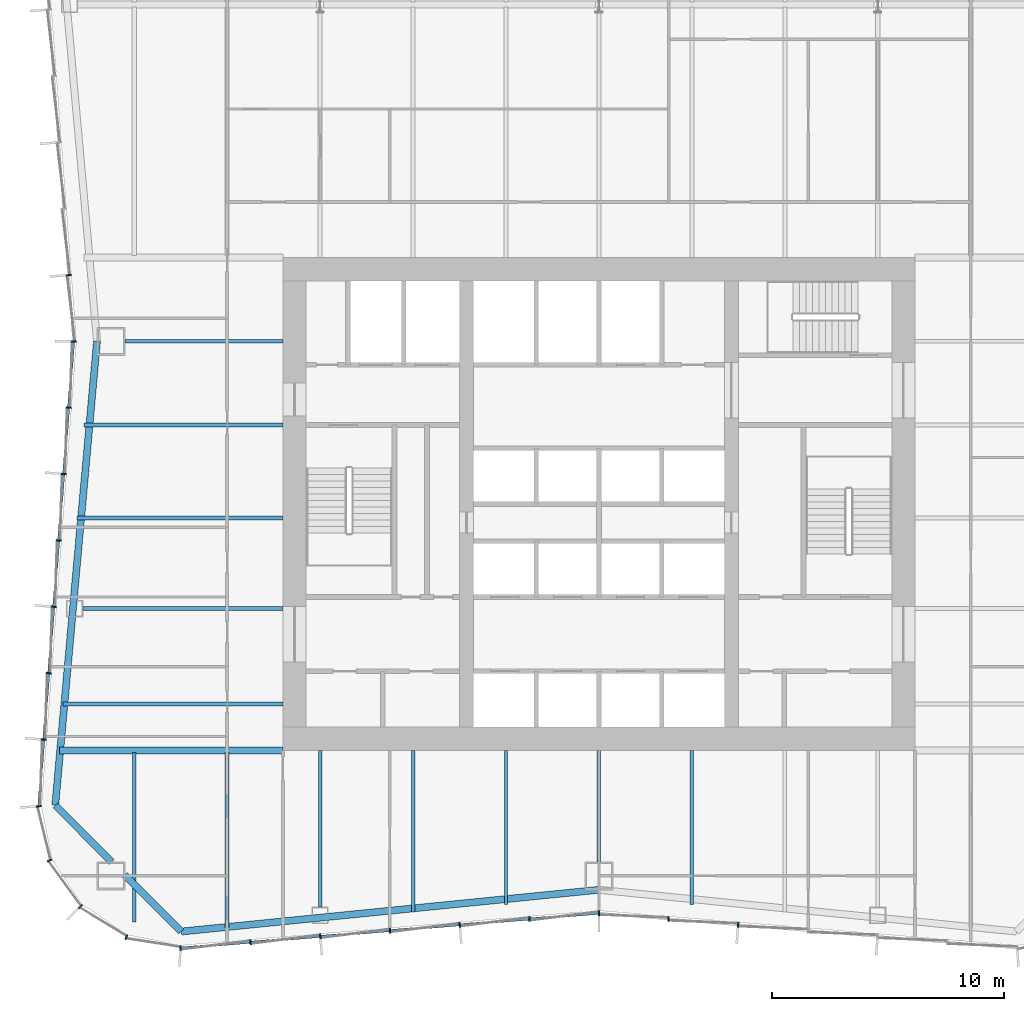
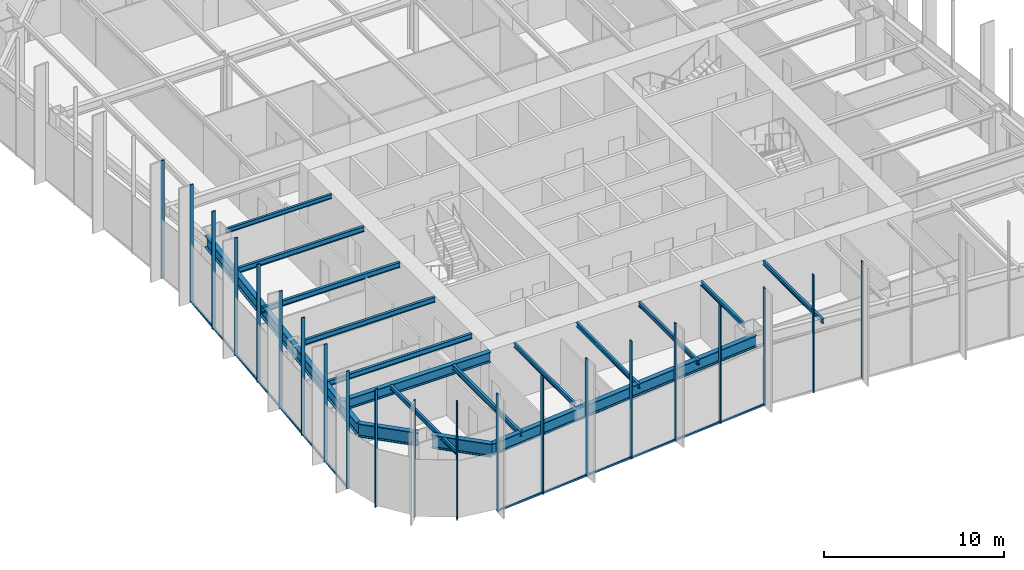
# One storey, part 2 of 14: 23 members, 17 beams, 3 elements without a shape of their own.
"""IFC4 building model written with IfcOpenShell, lengths in metres."""

from ifc_helpers import new_model, si_unit, direction, frame, origin, origin_2d, place, context, subcontext, project, spatial, rectangle, i_section, extrude, material, material_profile, profile_set, type_object, element, aggregate, save


model = new_model("IFC4")

# Units and contexts
model_context = context("Model", 3, precision=1e-05, world=origin(), true_north=direction((0.0, 1.0)))
body_context = subcontext(model_context, "Body", "Model", "MODEL_VIEW")
ifc_project = project(units=[si_unit("LENGTHUNIT", "METRE"), si_unit("AREAUNIT", "SQUARE_METRE"), si_unit("VOLUMEUNIT", "CUBIC_METRE"), si_unit("PLANEANGLEUNIT", "RADIAN"), si_unit("MASSUNIT", "GRAM", prefix="KILO")], contexts=[model_context])

# Site, building, storey
site_placement = place(None, origin())
site = spatial("IfcSite", under=ifc_project, at=site_placement, CompositionType="ELEMENT")
building_placement = place(site_placement, origin())
building = spatial("IfcBuilding", under=site, at=building_placement, Name="Verdant Reach Tower", CompositionType="ELEMENT")
storey_placement = place(building_placement, frame((0.0, 0.0, 162.0)))
storey = spatial("IfcBuildingStorey", under=building, at=storey_placement, Name="L37", CompositionType="ELEMENT", Elevation=162.0)

# Curtain wall, members
ifc_material_1 = material(Name="Anodised aluminium", Category="aluminium")
curtain_wall_type = type_object("IfcCurtainWallType", Name="EN-CW SYSTEM Z2", PredefinedType="NOTDEFINED", material=ifc_material_1)
curtain_wall_1_placement = place(storey_placement, origin())
curtain_wall_1 = element("IfcCurtainWall", 1, at=curtain_wall_1_placement, inside=storey, type_object=curtain_wall_type, Name="Curtain wall west, L37", PredefinedType="NOTDEFINED")
ifc_material_profile_1 = material_profile(ifc_material_1, rectangle(XDim=0.2119140625, YDim=0.06396484375, at=origin_2d()), Name="Mullion 64x212")
ifc_profile_set_1 = profile_set([ifc_material_profile_1], Name="Anodised aluminium")
member_type_1 = type_object("IfcMemberType", Name="EN-MULLION Z2", PredefinedType="MULLION", material=ifc_profile_set_1)
member_1_placement = place(storey_placement, frame((-22.820068359375, 37.84912109375, -0.35009765625), z_axis=(0.0, 0.0, 1.0), x_axis=(-0.997199309888, -0.074789948245, 0.0)))
member_1 = element("IfcMember", 2, at=member_1_placement, type_object=member_type_1, Name="Mullion west face part 1 7, L37", PredefinedType="MULLION", context=body_context, shape_type="SweptSolid", body=[
    extrude(rectangle(XDim=0.2119140625, YDim=0.06396484375, at=origin_2d()), origin(), (0.0, 0.0, 1.0), 8.0),
])
member_2_placement = place(storey_placement, frame((-22.60595703125, 35.0, -0.35009765625), z_axis=(0.0, 0.0, 1.0), x_axis=(-1.0, 0.0, 0.0)))
member_2 = element("IfcMember", 3, at=member_2_placement, type_object=member_type_1, Name="Mullion west face part 2 1, L37", PredefinedType="MULLION", context=body_context, shape_type="SweptSolid", body=[
    extrude(rectangle(XDim=0.2119140625, YDim=0.06396484375, at=origin_2d()), origin(), (0.0, 0.0, 1.0), 8.0),
])
member_3_placement = place(storey_placement, frame((-22.820068359375, 32.15087890625, -0.35009765625), z_axis=(0.0, 0.0, 1.0), x_axis=(-0.997199309888, 0.074789948245, 0.0)))
member_3 = element("IfcMember", 4, at=member_3_placement, type_object=member_type_1, Name="Mullion west face part 2 2, L37", PredefinedType="MULLION", context=body_context, shape_type="SweptSolid", body=[
    extrude(rectangle(XDim=0.2119140625, YDim=0.06396484375, at=origin_2d()), origin(), (0.0, 0.0, 1.0), 8.0),
])
member_4_placement = place(storey_placement, frame((-23.0341796875, 29.293701171875, -0.35009765625), z_axis=(0.0, 0.0, 1.0), x_axis=(-0.997199309888, 0.074789948245, 0.0)))
member_4 = element("IfcMember", 5, at=member_4_placement, type_object=member_type_1, Name="Mullion west face part 2 3, L37", PredefinedType="MULLION", context=body_context, shape_type="SweptSolid", body=[
    extrude(rectangle(XDim=0.2119140625, YDim=0.06396484375, at=origin_2d()), origin(), (0.0, 0.0, 1.0), 8.0),
])
member_5_placement = place(storey_placement, frame((-23.24853515625, 26.4365234375, -0.35009765625), z_axis=(0.0, 0.0, 1.0), x_axis=(-0.997199309888, 0.074789948245, 0.0)))
member_5 = element("IfcMember", 6, at=member_5_placement, type_object=member_type_1, Name="Mullion west face part 2 4, L37", PredefinedType="MULLION", context=body_context, shape_type="SweptSolid", body=[
    extrude(rectangle(XDim=0.2119140625, YDim=0.06396484375, at=origin_2d()), origin(), (0.0, 0.0, 1.0), 8.0),
])
member_6_placement = place(storey_placement, frame((-23.462890625, 23.579345703125, -0.35009765625), z_axis=(0.0, 0.0, 1.0), x_axis=(-0.997199309888, 0.074789948245, 0.0)))
member_6 = element("IfcMember", 7, at=member_6_placement, type_object=member_type_1, Name="Mullion west face part 2 5, L37", PredefinedType="MULLION", context=body_context, shape_type="SweptSolid", body=[
    extrude(rectangle(XDim=0.2119140625, YDim=0.06396484375, at=origin_2d()), origin(), (0.0, 0.0, 1.0), 8.0),
])
member_7_placement = place(storey_placement, frame((-23.67724609375, 20.72216796875, -0.35009765625), z_axis=(0.0, 0.0, 1.0), x_axis=(-0.997199309888, 0.074789948245, 0.0)))
member_7 = element("IfcMember", 8, at=member_7_placement, type_object=member_type_1, Name="Mullion west face part 2 6, L37", PredefinedType="MULLION", context=body_context, shape_type="SweptSolid", body=[
    extrude(rectangle(XDim=0.2119140625, YDim=0.06396484375, at=origin_2d()), origin(), (0.0, 0.0, 1.0), 8.0),
])
member_8_placement = place(storey_placement, frame((-23.891357421875, 17.864990234375, -0.35009765625), z_axis=(0.0, 0.0, 1.0), x_axis=(-0.997199309888, 0.074789948245, 0.0)))
member_8 = element("IfcMember", 9, at=member_8_placement, type_object=member_type_1, Name="Mullion west face part 2 7, L37", PredefinedType="MULLION", context=body_context, shape_type="SweptSolid", body=[
    extrude(rectangle(XDim=0.2119140625, YDim=0.06396484375, at=origin_2d()), origin(), (0.0, 0.0, 1.0), 8.0),
])

curtain_wall_2_placement = place(storey_placement, origin())
curtain_wall_2 = element("IfcCurtainWall", 10, at=curtain_wall_2_placement, inside=storey, type_object=curtain_wall_type, Name="Curtain wall south-west corner, L37", PredefinedType="NOTDEFINED")
member_9_placement = place(storey_placement, frame((-24.105712890625, 14.99365234375, -0.35009765625), z_axis=(0.0, 0.0, 1.0), x_axis=(-0.998155887542, -0.060702752526, 0.0)))
member_9 = element("IfcMember", 11, at=member_9_placement, type_object=member_type_1, Name="Mullion south-west corner 1, L37", PredefinedType="MULLION", context=body_context, shape_type="SweptSolid", body=[
    extrude(rectangle(XDim=0.2119140625, YDim=0.06396484375, at=origin_2d()), origin(), (0.0, 0.0, 1.0), 8.0),
])
member_10_placement = place(storey_placement, frame((-23.64111328125, 12.663330078125, -0.35009765625), z_axis=(0.0, 0.0, 1.0), x_axis=(-0.923875215753, -0.382693853776, 0.0)))
member_10 = element("IfcMember", 12, at=member_10_placement, type_object=member_type_1, Name="Mullion south-west corner 2, L37", PredefinedType="MULLION", context=body_context, shape_type="SweptSolid", body=[
    extrude(rectangle(XDim=0.2119140625, YDim=0.06396484375, at=origin_2d()), origin(), (0.0, 0.0, 1.0), 8.0),
])
member_11_placement = place(storey_placement, frame((-22.317626953125, 10.682373046875, -0.35009765625), z_axis=(0.0, 0.0, 1.0), x_axis=(-0.707106781187, -0.707106781187, 0.0)))
member_11 = element("IfcMember", 13, at=member_11_placement, type_object=member_type_1, Name="Mullion south-west corner 3, L37", PredefinedType="MULLION", context=body_context, shape_type="SweptSolid", body=[
    extrude(rectangle(XDim=0.2119140625, YDim=0.06396484375, at=origin_2d()), origin(), (0.0, 0.0, 1.0), 8.0),
])
member_12_placement = place(storey_placement, frame((-20.336669921875, 9.35888671875, -0.35009765625), z_axis=(0.0, 0.0, 1.0), x_axis=(-0.382693853776, -0.923875215753, 0.0)))
member_12 = element("IfcMember", 14, at=member_12_placement, type_object=member_type_1, Name="Mullion south-west corner 4, L37", PredefinedType="MULLION", context=body_context, shape_type="SweptSolid", body=[
    extrude(rectangle(XDim=0.2119140625, YDim=0.06396484375, at=origin_2d()), origin(), (0.0, 0.0, 1.0), 8.0),
])
aggregate(curtain_wall_2, [member_9, member_10, member_11, member_12])

curtain_wall_3_placement = place(storey_placement, origin())
curtain_wall_3 = element("IfcCurtainWall", 15, at=curtain_wall_3_placement, inside=storey, type_object=curtain_wall_type, Name="Curtain wall south, L37", PredefinedType="NOTDEFINED")
member_13_placement = place(storey_placement, frame((-18.006103515625, 8.894287109375, -0.35009765625), z_axis=(0.0, 0.0, 1.0), x_axis=(-0.056569187765, -0.998398681387, 0.0)))
member_13 = element("IfcMember", 16, at=member_13_placement, type_object=member_type_1, Name="Mullion south face part 1 1, L37", PredefinedType="MULLION", context=body_context, shape_type="SweptSolid", body=[
    extrude(rectangle(XDim=0.2119140625, YDim=0.06396484375, at=origin_2d()), origin(), (0.0, 0.0, 1.0), 8.0),
])
member_14_placement = place(storey_placement, frame((-14.9912109375, 9.144287109375, -0.35009765625), z_axis=(0.0, 0.0, 1.0), x_axis=(0.083045479859, -0.996545758244, 0.0)))
member_14 = element("IfcMember", 17, at=member_14_placement, type_object=member_type_1, Name="Mullion south face part 1 2, L37", PredefinedType="MULLION", context=body_context, shape_type="SweptSolid", body=[
    extrude(rectangle(XDim=0.2119140625, YDim=0.06396484375, at=origin_2d()), origin(), (0.0, 0.0, 1.0), 8.0),
])
member_15_placement = place(storey_placement, frame((-11.9912109375, 9.394287109375, -0.35009765625), z_axis=(0.0, 0.0, 1.0), x_axis=(0.083045479859, -0.996545758244, 0.0)))
member_15 = element("IfcMember", 18, at=member_15_placement, type_object=member_type_1, Name="Mullion south face part 1 3, L37", PredefinedType="MULLION", context=body_context, shape_type="SweptSolid", body=[
    extrude(rectangle(XDim=0.2119140625, YDim=0.06396484375, at=origin_2d()), origin(), (0.0, 0.0, 1.0), 8.0),
])
member_16_placement = place(storey_placement, frame((-8.9912109375, 9.644287109375, -0.35009765625), z_axis=(0.0, 0.0, 1.0), x_axis=(0.083045479859, -0.996545758244, 0.0)))
member_16 = element("IfcMember", 19, at=member_16_placement, type_object=member_type_1, Name="Mullion south face part 1 4, L37", PredefinedType="MULLION", context=body_context, shape_type="SweptSolid", body=[
    extrude(rectangle(XDim=0.2119140625, YDim=0.06396484375, at=origin_2d()), origin(), (0.0, 0.0, 1.0), 8.0),
])
member_17_placement = place(storey_placement, frame((-5.9912109375, 9.894287109375, -0.35009765625), z_axis=(0.0, 0.0, 1.0), x_axis=(0.083045479859, -0.996545758244, 0.0)))
member_17 = element("IfcMember", 20, at=member_17_placement, type_object=member_type_1, Name="Mullion south face part 1 5, L37", PredefinedType="MULLION", context=body_context, shape_type="SweptSolid", body=[
    extrude(rectangle(XDim=0.2119140625, YDim=0.06396484375, at=origin_2d()), origin(), (0.0, 0.0, 1.0), 8.0),
])
member_18_placement = place(storey_placement, frame((-2.9912109375, 10.144287109375, -0.35009765625), z_axis=(0.0, 0.0, 1.0), x_axis=(0.083045479859, -0.996545758244, 0.0)))
member_18 = element("IfcMember", 21, at=member_18_placement, type_object=member_type_1, Name="Mullion south face part 1 6, L37", PredefinedType="MULLION", context=body_context, shape_type="SweptSolid", body=[
    extrude(rectangle(XDim=0.2119140625, YDim=0.06396484375, at=origin_2d()), origin(), (0.0, 0.0, 1.0), 8.0),
])
member_19_placement = place(storey_placement, frame((0.0, 10.39404296875, -0.35009765625), z_axis=(0.0, 0.0, 1.0), x_axis=(0.0, -1.0, 0.0)))
member_19 = element("IfcMember", 22, at=member_19_placement, type_object=member_type_1, Name="Mullion south face part 2 1, L37", PredefinedType="MULLION", context=body_context, shape_type="SweptSolid", body=[
    extrude(rectangle(XDim=0.2119140625, YDim=0.06396484375, at=origin_2d()), origin(), (0.0, 0.0, 1.0), 8.0),
])
member_20_placement = place(storey_placement, frame((2.9912109375, 10.144287109375, -0.35009765625), z_axis=(0.0, 0.0, 1.0), x_axis=(-0.083045479859, -0.996545758244, 0.0)))
member_20 = element("IfcMember", 23, at=member_20_placement, type_object=member_type_1, Name="Mullion south face part 2 2, L37", PredefinedType="MULLION", context=body_context, shape_type="SweptSolid", body=[
    extrude(rectangle(XDim=0.2119140625, YDim=0.06396484375, at=origin_2d()), origin(), (0.0, 0.0, 1.0), 8.0),
])
member_21_placement = place(storey_placement, frame((5.9912109375, 9.894287109375, -0.35009765625), z_axis=(0.0, 0.0, 1.0), x_axis=(-0.083045479859, -0.996545758244, 0.0)))
member_21 = element("IfcMember", 24, at=member_21_placement, type_object=member_type_1, Name="Mullion south face part 2 3, L37", PredefinedType="MULLION", context=body_context, shape_type="SweptSolid", body=[
    extrude(rectangle(XDim=0.2119140625, YDim=0.06396484375, at=origin_2d()), origin(), (0.0, 0.0, 1.0), 8.0),
])

# Member
ifc_material_profile_2 = material_profile(ifc_material_1, rectangle(XDim=0.10009765625, YDim=0.1240234375, at=origin_2d()), Name="Transom 124x100")
ifc_profile_set_2 = profile_set([ifc_material_profile_2], Name="Anodised aluminium")
member_type_2 = type_object("IfcMemberType", Name="EN-TRANSOM Z2", PredefinedType="USERDEFINED", material=ifc_profile_set_2)
member_22_placement = place(storey_placement, frame((-22.6083984375, 34.968017578125, -0.2880859375), z_axis=(-0.07476111665, -0.997201471839, 0.0), x_axis=(0.997201471839, -0.07476111665, 0.0)))
member_22 = element("IfcMember", 25, at=member_22_placement, type_object=member_type_2, Name="Transom west face part 2 1.1, L37", ObjectType="TRANSOM", PredefinedType="USERDEFINED", context=body_context, shape_type="SweptSolid", body=[
    extrude(rectangle(XDim=0.10009765625, YDim=0.1240234375, at=origin_2d()), origin(), (0.0, 0.0, 1.0), 19.99853515625),
])

aggregate(curtain_wall_1, [member_1, member_2, member_3, member_4, member_5, member_6, member_7, member_8, member_22])

member_23_placement = place(storey_placement, frame((-17.97412109375, 8.896728515625, -0.2880859375), z_axis=(0.996548282776, 0.083015179915, 0.0), x_axis=(-0.083015179915, 0.996548282776, 0.0)))
member_23 = element("IfcMember", 26, at=member_23_placement, type_object=member_type_2, Name="Transom south face part 1 1.1, L37", ObjectType="TRANSOM", PredefinedType="USERDEFINED", context=body_context, shape_type="SweptSolid", body=[
    extrude(rectangle(XDim=0.10009765625, YDim=0.1240234375, at=origin_2d()), origin(), (0.0, 0.0, 1.0), 18.00439453125),
])

aggregate(curtain_wall_3, [member_13, member_14, member_15, member_16, member_17, member_18, member_23, member_19, member_20, member_21])

# Beams
ifc_material_2 = material(Name="Steel S355", Category="steel")
ifc_material_profile_3 = material_profile(ifc_material_2, i_section(OverallWidth=0.300048828125, OverallDepth=0.699951171875, WebThickness=0.01708984375, FlangeThickness=0.031982421875, FilletRadius=0.027099609375, at=origin_2d()), Name="HEB 700")
ifc_profile_set_3 = profile_set([ifc_material_profile_3], Name="Steel S355")
beam_type_1 = type_object("IfcBeamType", Name="ST-BEAM-HEB700", PredefinedType="BEAM", material=ifc_profile_set_3)
beam_1_placement = place(storey_placement, frame((-13.60009765625, 17.39990234375, 3.52001953125), z_axis=(-1.0, 0.0, 0.0), x_axis=(0.0, -1.0, 0.0)))
element("IfcBeam", 27, at=beam_1_placement, inside=storey, type_object=beam_type_1, Name="Trimmer beam, L37", PredefinedType="BEAM", context=body_context, shape_type="SweptSolid", body=[
    extrude(i_section(OverallWidth=0.300048828125, OverallDepth=0.699951171875, WebThickness=0.01708984375, FlangeThickness=0.031982421875, FilletRadius=0.027099609375, at=origin_2d()), origin(), (0.0, 0.0, 1.0), 9.6181640625),
])
ifc_material_profile_4 = material_profile(ifc_material_2, i_section(OverallWidth=0.14990234375, OverallDepth=0.300048828125, WebThickness=0.007080078125, FlangeThickness=0.0107421875, FilletRadius=0.014892578125, at=origin_2d()), Name="IPE 300")
ifc_profile_set_4 = profile_set([ifc_material_profile_4], Name="Steel S355")
beam_type_2 = type_object("IfcBeamType", Name="ST-JOIST-IPE300", PredefinedType="JOIST", material=ifc_profile_set_4)
beam_2_placement = place(storey_placement, frame((-20.0, 17.300048828125, 3.719970703125), z_axis=(0.0, -1.0, 0.0), x_axis=(1.0, 0.0, 0.0)))
element("IfcBeam", 28, at=beam_2_placement, inside=storey, type_object=beam_type_2, Name="Floor joist, L37", PredefinedType="JOIST", context=body_context, shape_type="SweptSolid", body=[
    extrude(i_section(OverallWidth=0.14990234375, OverallDepth=0.300048828125, WebThickness=0.007080078125, FlangeThickness=0.0107421875, FilletRadius=0.014892578125, at=origin_2d()), origin(), (0.0, 0.0, 1.0), 7.29052734375),
])
beam_3_placement = place(storey_placement, frame((-12.0, 17.39990234375, 3.719970703125), z_axis=(0.0, -1.0, 0.0), x_axis=(1.0, 0.0, 0.0)))
element("IfcBeam", 29, at=beam_3_placement, inside=storey, type_object=beam_type_2, Name="Floor joist, L37", PredefinedType="JOIST", context=body_context, shape_type="SweptSolid", body=[
    extrude(i_section(OverallWidth=0.14990234375, OverallDepth=0.300048828125, WebThickness=0.007080078125, FlangeThickness=0.0107421875, FilletRadius=0.014892578125, at=origin_2d()), origin(), (0.0, 0.0, 1.0), 6.75),
])
beam_4_placement = place(storey_placement, frame((-8.0, 17.39990234375, 3.719970703125), z_axis=(0.0, -1.0, 0.0), x_axis=(1.0, 0.0, 0.0)))
element("IfcBeam", 30, at=beam_4_placement, inside=storey, type_object=beam_type_2, Name="Floor joist, L37", PredefinedType="JOIST", context=body_context, shape_type="SweptSolid", body=[
    extrude(i_section(OverallWidth=0.14990234375, OverallDepth=0.300048828125, WebThickness=0.007080078125, FlangeThickness=0.0107421875, FilletRadius=0.014892578125, at=origin_2d()), origin(), (0.0, 0.0, 1.0), 6.964599609375),
])
beam_5_placement = place(storey_placement, frame((-4.0, 17.39990234375, 3.719970703125), z_axis=(0.0, -1.0, 0.0), x_axis=(1.0, 0.0, 0.0)))
element("IfcBeam", 31, at=beam_5_placement, inside=storey, type_object=beam_type_2, Name="Floor joist, L37", PredefinedType="JOIST", context=body_context, shape_type="SweptSolid", body=[
    extrude(i_section(OverallWidth=0.14990234375, OverallDepth=0.300048828125, WebThickness=0.007080078125, FlangeThickness=0.0107421875, FilletRadius=0.014892578125, at=origin_2d()), origin(), (0.0, 0.0, 1.0), 6.631103515625),
])
beam_6_placement = place(storey_placement, frame((0.0, 17.39990234375, 3.719970703125), z_axis=(0.0, -1.0, 0.0), x_axis=(1.0, 0.0, 0.0)))
element("IfcBeam", 32, at=beam_6_placement, inside=storey, type_object=beam_type_2, Name="Floor joist, L37", PredefinedType="JOIST", context=body_context, shape_type="SweptSolid", body=[
    extrude(i_section(OverallWidth=0.14990234375, OverallDepth=0.300048828125, WebThickness=0.007080078125, FlangeThickness=0.0107421875, FilletRadius=0.014892578125, at=origin_2d()), origin(), (0.0, 0.0, 1.0), 4.7998046875),
])
beam_7_placement = place(storey_placement, frame((4.0, 17.39990234375, 3.719970703125), z_axis=(0.0, -1.0, 0.0), x_axis=(1.0, 0.0, 0.0)))
element("IfcBeam", 33, at=beam_7_placement, inside=storey, type_object=beam_type_2, Name="Floor joist, L37", PredefinedType="JOIST", context=body_context, shape_type="SweptSolid", body=[
    extrude(i_section(OverallWidth=0.14990234375, OverallDepth=0.300048828125, WebThickness=0.007080078125, FlangeThickness=0.0107421875, FilletRadius=0.014892578125, at=origin_2d()), origin(), (0.0, 0.0, 1.0), 6.631103515625),
])
beam_8_placement = place(storey_placement, frame((-13.60009765625, 35.0, 3.719970703125), z_axis=(-1.0, 0.0, 0.0), x_axis=(0.0, -1.0, 0.0)))
element("IfcBeam", 34, at=beam_8_placement, inside=storey, type_object=beam_type_2, Name="Floor joist, L37", PredefinedType="JOIST", context=body_context, shape_type="SweptSolid", body=[
    extrude(i_section(OverallWidth=0.14990234375, OverallDepth=0.300048828125, WebThickness=0.007080078125, FlangeThickness=0.0107421875, FilletRadius=0.014892578125, at=origin_2d()), origin(), (0.0, 0.0, 1.0), 6.7998046875),
])
ifc_material_profile_5 = material_profile(ifc_material_2, i_section(OverallWidth=0.169921875, OverallDepth=0.360107421875, WebThickness=0.008056640625, FlangeThickness=0.0126953125, FilletRadius=0.01806640625, at=origin_2d()), Name="IPE 360")
ifc_profile_set_5 = profile_set([ifc_material_profile_5], Name="Steel S355")
beam_type_3 = type_object("IfcBeamType", Name="ST-JOIST-IPE360", PredefinedType="JOIST", material=ifc_profile_set_5)
beam_9_placement = place(storey_placement, frame((-16.0, 17.300048828125, 3.68994140625), z_axis=(0.0, -1.0, 0.0), x_axis=(1.0, 0.0, 0.0)))
element("IfcBeam", 35, at=beam_9_placement, inside=storey, type_object=beam_type_3, Name="Floor joist, L37", PredefinedType="JOIST", context=body_context, shape_type="SweptSolid", body=[
    extrude(i_section(OverallWidth=0.169921875, OverallDepth=0.360107421875, WebThickness=0.008056640625, FlangeThickness=0.0126953125, FilletRadius=0.01806640625, at=origin_2d()), origin(), (0.0, 0.0, 1.0), 7.53125),
])
beam_10_placement = place(storey_placement, frame((-13.60009765625, 19.39990234375, 3.68994140625), z_axis=(-1.0, 0.0, 0.0), x_axis=(0.0, -1.0, 0.0)))
element("IfcBeam", 36, at=beam_10_placement, inside=storey, type_object=beam_type_3, Name="Floor joist, L37", PredefinedType="JOIST", context=body_context, shape_type="SweptSolid", body=[
    extrude(i_section(OverallWidth=0.169921875, OverallDepth=0.360107421875, WebThickness=0.008056640625, FlangeThickness=0.0126953125, FilletRadius=0.01806640625, at=origin_2d()), origin(), (0.0, 0.0, 1.0), 9.46826171875),
])
beam_11_placement = place(storey_placement, frame((-13.60009765625, 23.5, 3.68994140625), z_axis=(-1.0, 0.0, 0.0), x_axis=(0.0, -1.0, 0.0)))
element("IfcBeam", 37, at=beam_11_placement, inside=storey, type_object=beam_type_3, Name="Floor joist, L37", PredefinedType="JOIST", context=body_context, shape_type="SweptSolid", body=[
    extrude(i_section(OverallWidth=0.169921875, OverallDepth=0.360107421875, WebThickness=0.008056640625, FlangeThickness=0.0126953125, FilletRadius=0.01806640625, at=origin_2d()), origin(), (0.0, 0.0, 1.0), 8.6123046875),
])
beam_12_placement = place(storey_placement, frame((-13.60009765625, 27.39990234375, 3.68994140625), z_axis=(-1.0, 0.0, 0.0), x_axis=(0.0, -1.0, 0.0)))
element("IfcBeam", 38, at=beam_12_placement, inside=storey, type_object=beam_type_3, Name="Floor joist, L37", PredefinedType="JOIST", context=body_context, shape_type="SweptSolid", body=[
    extrude(i_section(OverallWidth=0.169921875, OverallDepth=0.360107421875, WebThickness=0.008056640625, FlangeThickness=0.0126953125, FilletRadius=0.01806640625, at=origin_2d()), origin(), (0.0, 0.0, 1.0), 8.8681640625),
])
beam_13_placement = place(storey_placement, frame((-13.60009765625, 31.39990234375, 3.68994140625), z_axis=(-1.0, 0.0, 0.0), x_axis=(0.0, -1.0, 0.0)))
element("IfcBeam", 39, at=beam_13_placement, inside=storey, type_object=beam_type_3, Name="Floor joist, L37", PredefinedType="JOIST", context=body_context, shape_type="SweptSolid", body=[
    extrude(i_section(OverallWidth=0.169921875, OverallDepth=0.360107421875, WebThickness=0.008056640625, FlangeThickness=0.0126953125, FilletRadius=0.01806640625, at=origin_2d()), origin(), (0.0, 0.0, 1.0), 8.568115234375),
])
ifc_material_profile_6 = material_profile(ifc_material_2, i_section(OverallWidth=0.300048828125, OverallDepth=0.800048828125, WebThickness=0.017578125, FlangeThickness=0.032958984375, FilletRadius=0.030029296875, at=origin_2d()), Name="HEB 800")
ifc_profile_set_6 = profile_set([ifc_material_profile_6], Name="Steel S355")
beam_type_4 = type_object("IfcBeamType", Name="ST-SPANDREL-HEB800", PredefinedType="SPANDREL", material=ifc_profile_set_6)
beam_14_placement = place(storey_placement, frame((0.0, 11.39990234375, 3.469970703125), z_axis=(-0.995046289869, -0.099412680371, 0.0), x_axis=(0.099412680371, -0.995046289869, 0.0)))
element("IfcBeam", 40, at=beam_14_placement, inside=storey, type_object=beam_type_4, Name="Edge beam, L37", PredefinedType="SPANDREL", context=body_context, shape_type="SweptSolid", body=[
    extrude(i_section(OverallWidth=0.300048828125, OverallDepth=0.800048828125, WebThickness=0.017578125, FlangeThickness=0.032958984375, FilletRadius=0.030029296875, at=origin_2d()), origin(), (0.0, 0.0, 1.0), 18.05517578125),
])
beam_15_placement = place(storey_placement, frame((-23.3955078125, 15.036865234375, 3.469970703125), z_axis=(0.089574749266, 0.995980102358, 0.0), x_axis=(-0.995980102358, 0.089574749266, 0.0)))
element("IfcBeam", 41, at=beam_15_placement, inside=storey, type_object=beam_type_4, Name="Edge beam, L37", PredefinedType="SPANDREL", context=body_context, shape_type="SweptSolid", body=[
    extrude(i_section(OverallWidth=0.300048828125, OverallDepth=0.800048828125, WebThickness=0.017578125, FlangeThickness=0.032958984375, FilletRadius=0.030029296875, at=origin_2d()), origin(), (0.0, 0.0, 1.0), 20.043701171875),
])
ifc_material_profile_7 = material_profile(ifc_material_2, i_section(OverallWidth=0.302001953125, OverallDepth=0.909912109375, WebThickness=0.02099609375, FlangeThickness=0.0400390625, FilletRadius=0.030029296875, at=origin_2d()), Name="HEM 900")
ifc_profile_set_7 = profile_set([ifc_material_profile_7], Name="Steel S355")
beam_type_5 = type_object("IfcBeamType", Name="ST-SPANDREL-HEM900", PredefinedType="SPANDREL", material=ifc_profile_set_7)
beam_16_placement = place(storey_placement, frame((-17.9658203125, 9.60498046875, 3.4150390625), z_axis=(-0.70696494852, 0.70724858541, 0.0), x_axis=(-0.70724858541, -0.70696494852, 0.0)))
element("IfcBeam", 42, at=beam_16_placement, inside=storey, type_object=beam_type_5, Name="Edge beam, L37", PredefinedType="SPANDREL", context=body_context, shape_type="SweptSolid", body=[
    extrude(i_section(OverallWidth=0.302001953125, OverallDepth=0.909912109375, WebThickness=0.02099609375, FlangeThickness=0.0400390625, FilletRadius=0.030029296875, at=origin_2d()), origin(), (0.0, 0.0, 1.0), 3.443115234375),
])
beam_17_placement = place(storey_placement, frame((-20.959716796875, 12.60009765625, 3.4150390625), z_axis=(-0.706965048022, 0.707248485948, 0.0), x_axis=(-0.707248485948, -0.706965048022, 0.0)))
element("IfcBeam", 43, at=beam_17_placement, inside=storey, type_object=beam_type_5, Name="Edge beam, L37", PredefinedType="SPANDREL", context=body_context, shape_type="SweptSolid", body=[
    extrude(i_section(OverallWidth=0.302001953125, OverallDepth=0.909912109375, WebThickness=0.02099609375, FlangeThickness=0.0400390625, FilletRadius=0.030029296875, at=origin_2d()), origin(), (0.0, 0.0, 1.0), 3.4453125),
])

save(model, "model.ifc")
